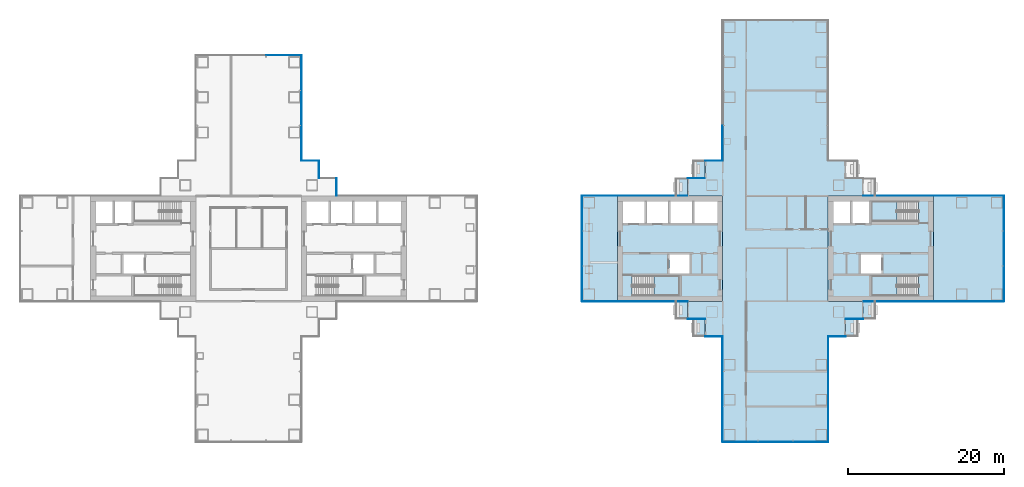
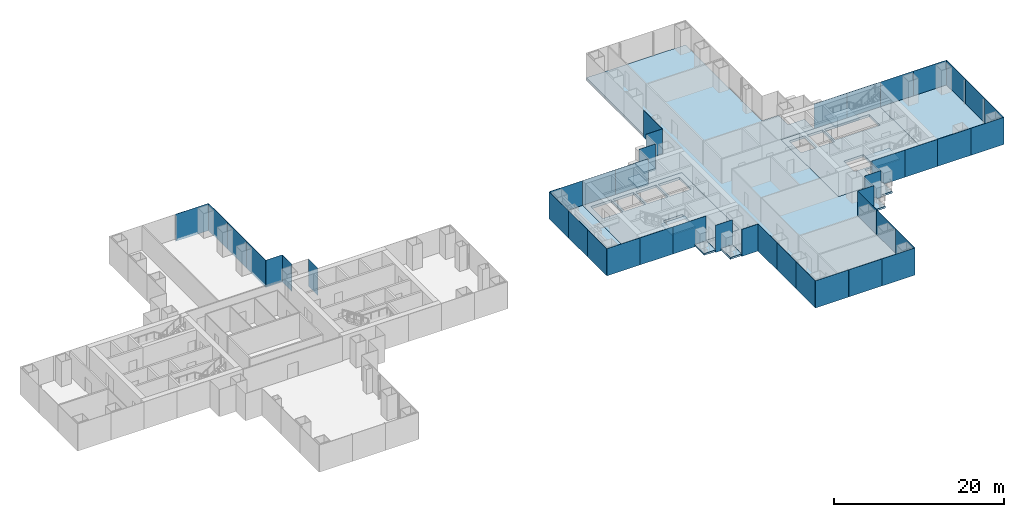
# One storey, part 12 of 22: 43 plates, 14 slabs, 23 elements without a shape of their own.
"""IFC4 building model written with IfcOpenShell, lengths in metres."""

from ifc_helpers import new_model, si_unit, direction, frame, origin, origin_2d, place, context, subcontext, project, spatial, polyline, rectangle, outline, extrude, material, layer, layer_set, type_object, element, aggregate, save


model = new_model("IFC4")

# Units and contexts
model_context = context("Model", 3, precision=1e-05, world=origin(), true_north=direction((0.0, 1.0)))
body_context = subcontext(model_context, "Body", "Model", "MODEL_VIEW")
ifc_project = project(units=[si_unit("LENGTHUNIT", "METRE"), si_unit("AREAUNIT", "SQUARE_METRE"), si_unit("VOLUMEUNIT", "CUBIC_METRE"), si_unit("PLANEANGLEUNIT", "RADIAN"), si_unit("MASSUNIT", "GRAM", prefix="KILO")], contexts=[model_context])

# Site, building, storey
site_placement = place(None, origin())
site = spatial("IfcSite", under=ifc_project, at=site_placement, CompositionType="ELEMENT")
building_placement = place(site_placement, origin())
building = spatial("IfcBuilding", under=site, at=building_placement, Name="Shamsa Quay Exchange Towers", CompositionType="ELEMENT")
storey_placement = place(building_placement, frame((0.0, 0.0, 69.300048828125)))
storey = spatial("IfcBuildingStorey", under=building, at=storey_placement, Name="L15", CompositionType="ELEMENT", Elevation=69.300048828125)

# Slabs
ifc_material_1 = material(Name="Precast concrete C40/50", Category="concrete")
ifc_layer_1 = layer(ifc_material_1, 0.25)
ifc_layer_set_1 = layer_set([ifc_layer_1], Name="BALCONY SLAB 250")
slab_type_1 = type_object("IfcSlabType", Name="BALCONY SLAB 250", PredefinedType="FLOOR", material=ifc_layer_set_1)
slab_1_placement = place(storey_placement, frame((0.0, 0.0, -0.25)))
element("IfcSlab", 1, at=slab_1_placement, inside=storey, type_object=slab_type_1, Name="Balcony T2-PKEN L15", PredefinedType="FLOOR", context=body_context, shape_type="SweptSolid", body=[
    extrude(outline(polyline([(24.75, 11.25), (24.75, 9.0380859375), (23.199951171875, 9.0380859375), (23.199951171875, 11.25), (24.75, 11.25)])), origin(), (0.0, 0.0, 1.0), 0.25),
])
slab_2_placement = place(storey_placement, frame((0.0, 0.0, -0.25)))
element("IfcSlab", 2, at=slab_2_placement, inside=storey, type_object=slab_type_1, Name="Balcony T2-PKEN L15", PredefinedType="FLOOR", context=body_context, shape_type="SweptSolid", body=[
    extrude(outline(polyline([(22.5, 9.0), (22.5, 6.7880859375), (20.949951171875, 6.7880859375), (20.949951171875, 9.0), (22.5, 9.0)])), origin(), (0.0, 0.0, 1.0), 0.25),
])
slab_3_placement = place(storey_placement, frame((0.0, 0.0, -0.25)))
element("IfcSlab", 3, at=slab_3_placement, inside=storey, type_object=slab_type_1, Name="Balcony T2-PKWN L15", PredefinedType="FLOOR", context=body_context, shape_type="SweptSolid", body=[
    extrude(outline(polyline([(22.5, -6.7880859375), (22.5, -9.0), (20.949951171875, -9.0), (20.949951171875, -6.7880859375), (22.5, -6.7880859375)])), origin(), (0.0, 0.0, 1.0), 0.25),
])
slab_4_placement = place(storey_placement, frame((0.0, 0.0, -0.25)))
element("IfcSlab", 4, at=slab_4_placement, inside=storey, type_object=slab_type_1, Name="Balcony T2-PKWN L15", PredefinedType="FLOOR", context=body_context, shape_type="SweptSolid", body=[
    extrude(outline(polyline([(24.75, -9.0380859375), (24.75, -11.25), (23.199951171875, -11.25), (23.199951171875, -9.0380859375), (24.75, -9.0380859375)])), origin(), (0.0, 0.0, 1.0), 0.25),
])
slab_5_placement = place(storey_placement, frame((0.0, 0.0, -0.25)))
element("IfcSlab", 5, at=slab_5_placement, inside=storey, type_object=slab_type_1, Name="Balcony T2-PKWS L15", PredefinedType="FLOOR", context=body_context, shape_type="SweptSolid", body=[
    extrude(outline(polyline([(42.75, -11.25), (42.75, -9.0380859375), (44.300048828125, -9.0380859375), (44.300048828125, -11.25), (42.75, -11.25)])), origin(), (0.0, 0.0, 1.0), 0.25),
])
slab_6_placement = place(storey_placement, frame((0.0, 0.0, -0.25)))
element("IfcSlab", 6, at=slab_6_placement, inside=storey, type_object=slab_type_1, Name="Balcony T2-PKWS L15", PredefinedType="FLOOR", context=body_context, shape_type="SweptSolid", body=[
    extrude(outline(polyline([(45.0, -9.0), (45.0, -6.7880859375), (46.550048828125, -6.7880859375), (46.550048828125, -9.0), (45.0, -9.0)])), origin(), (0.0, 0.0, 1.0), 0.25),
])
ifc_material_2 = material(Name="Concrete C50/60", Category="concrete")
ifc_layer_2 = layer(ifc_material_2, 0.35009765625)
ifc_layer_set_2 = layer_set([ifc_layer_2], Name="CORE FLOOR 350 C50/60")
slab_type_2 = type_object("IfcSlabType", Name="CORE FLOOR 350 C50/60", PredefinedType="FLOOR", material=ifc_layer_set_2)
slab_7_placement = place(storey_placement, frame((0.0, 0.0, -0.35009765625)))
element("IfcSlab", 7, at=slab_7_placement, inside=storey, type_object=slab_type_2, Name="Core floor T2A", PredefinedType="FLOOR", context=body_context, shape_type="SweptSolid", body=[
    extrude(outline(polyline([(13.5, -6.75), (27.0, -6.75), (27.0, 6.75), (13.5, 6.75), (13.5, -6.75)]), holes=[polyline([(15.400634765625, -6.050048828125), (15.400634765625, -3.5), (21.5, -3.5), (21.5, -6.050048828125), (15.400634765625, -6.050048828125)]), polyline([(14.199951171875, 3.25), (14.199951171875, 6.050048828125), (17.0, 6.050048828125), (17.0, 3.25), (14.199951171875, 3.25)]), polyline([(17.25, 3.25), (17.25, 6.050048828125), (20.050048828125, 6.050048828125), (20.050048828125, 3.25), (17.25, 3.25)]), polyline([(20.300048828125, 3.25), (20.300048828125, 6.050048828125), (23.10009765625, 6.050048828125), (23.10009765625, 3.25), (20.300048828125, 3.25)]), polyline([(23.35009765625, 3.25), (23.35009765625, 6.050048828125), (26.300048828125, 6.050048828125), (26.300048828125, 3.25), (23.35009765625, 3.25)]), polyline([(20.14990234375, -3.25), (20.14990234375, -0.75), (22.800048828125, -0.75), (22.800048828125, -3.25), (20.14990234375, -3.25)])]), origin(), (0.0, 0.0, 1.0), 0.35009765625),
])
slab_8_placement = place(storey_placement, frame((0.0, 0.0, -0.35009765625)))
element("IfcSlab", 8, at=slab_8_placement, inside=storey, type_object=slab_type_2, Name="Core floor T2B", PredefinedType="FLOOR", context=body_context, shape_type="SweptSolid", body=[
    extrude(outline(polyline([(54.0, -6.75), (54.0, 6.75), (40.5, 6.75), (40.5, -6.75), (54.0, -6.75)]), holes=[polyline([(52.099365234375, -3.5), (52.099365234375, -6.050048828125), (46.0, -6.050048828125), (46.0, -3.5), (52.099365234375, -3.5)]), polyline([(52.099365234375, 6.050048828125), (52.099365234375, 3.5), (46.0, 3.5), (46.0, 6.050048828125), (52.099365234375, 6.050048828125)]), polyline([(45.75, 3.25), (43.60009765625, 3.25), (43.60009765625, 6.050048828125), (45.75, 6.050048828125), (45.75, 3.25)]), polyline([(43.35009765625, 3.25), (41.199951171875, 3.25), (41.199951171875, 6.050048828125), (43.35009765625, 6.050048828125), (43.35009765625, 3.25)]), polyline([(47.35009765625, -3.25), (44.699951171875, -3.25), (44.699951171875, -0.75), (47.35009765625, -0.75), (47.35009765625, -3.25)])]), origin(), (0.0, 0.0, 1.0), 0.35009765625),
])

# Stair, slab
ifc_material_3 = material(Name="Concrete C40/50", Category="concrete")
stair_type = type_object("IfcStairType", Name="EXIT STAIR 22 RISERS 177 MM", PredefinedType="HALF_TURN_STAIR", material=ifc_material_3)
stair_1_placement = place(storey_placement, origin())
stair_1 = element("IfcStair", 9, at=stair_1_placement, inside=storey, type_object=stair_type, Name="L15 Exit stair ST4", PredefinedType="HALF_TURN_STAIR")
ifc_layer_3 = layer(ifc_material_3, 0.199951171875)
ifc_layer_set_3 = layer_set([ifc_layer_3], Name="CORE STAIR LANDING")
slab_type_3 = type_object("IfcSlabType", Name="CORE STAIR LANDING", PredefinedType="LANDING", material=ifc_layer_set_3)
slab_9_placement = place(storey_placement, frame((0.0, 0.0, 1.75)))
slab_9 = element("IfcSlab", 10, at=slab_9_placement, type_object=slab_type_3, Name="ST4 landing 1", PredefinedType="LANDING", context=body_context, shape_type="SweptSolid", body=[
    extrude(outline(polyline([(18.199951171875, -6.050048828125), (21.5, -6.050048828125), (21.5, -3.5), (18.199951171875, -3.5), (18.199951171875, -6.050048828125)])), origin(), (0.0, 0.0, 1.0), 0.199951171875),
])
aggregate(stair_1, [slab_9])

stair_2_placement = place(storey_placement, origin())
stair_2 = element("IfcStair", 11, at=stair_2_placement, inside=storey, type_object=stair_type, Name="L15 Exit stair ST5", PredefinedType="HALF_TURN_STAIR")
slab_10_placement = place(storey_placement, frame((0.0, 0.0, 1.75)))
slab_10 = element("IfcSlab", 12, at=slab_10_placement, type_object=slab_type_3, Name="ST5 landing 1", PredefinedType="LANDING", context=body_context, shape_type="SweptSolid", body=[
    extrude(outline(polyline([(49.300048828125, -3.5), (46.0, -3.5), (46.0, -6.050048828125), (49.300048828125, -6.050048828125), (49.300048828125, -3.5)])), origin(), (0.0, 0.0, 1.0), 0.199951171875),
])
aggregate(stair_2, [slab_10])

stair_3_placement = place(storey_placement, origin())
stair_3 = element("IfcStair", 13, at=stair_3_placement, inside=storey, type_object=stair_type, Name="L15 Exit stair ST6", PredefinedType="HALF_TURN_STAIR")
slab_11_placement = place(storey_placement, frame((0.0, 0.0, 1.75)))
slab_11 = element("IfcSlab", 14, at=slab_11_placement, type_object=slab_type_3, Name="ST6 landing 1", PredefinedType="LANDING", context=body_context, shape_type="SweptSolid", body=[
    extrude(outline(polyline([(49.300048828125, 6.050048828125), (46.0, 6.050048828125), (46.0, 3.5), (49.300048828125, 3.5), (49.300048828125, 6.050048828125)])), origin(), (0.0, 0.0, 1.0), 0.199951171875),
])
aggregate(stair_3, [slab_11])

# Curtain wall, plates
ifc_material_4 = material(Name="Aluminium EN AW-6063 T6, black anodised", Category="aluminium")
ifc_layer_4 = layer(ifc_material_4, 0.280029296875)
ifc_layer_set_4 = layer_set([ifc_layer_4], Name="CW-1 UNITISED VISION GLASS")
curtain_wall_type_1 = type_object("IfcCurtainWallType", Name="CW-1 UNITISED VISION GLASS", PredefinedType="NOTDEFINED", material=ifc_layer_set_4)
curtain_wall_1_placement = place(storey_placement, origin())
curtain_wall_1 = element("IfcCurtainWall", 15, at=curtain_wall_1_placement, inside=storey, type_object=curtain_wall_type_1, Name="CW1 T1-FLK-V+E L15", PredefinedType="NOTDEFINED")
ifc_material_5 = material(Name="Glass, laminated, dark tinted", Category="glass")
ifc_layer_5 = layer(ifc_material_5, 0.0400390625)
ifc_layer_set_5 = layer_set([ifc_layer_5], Name="CW-1 VISION GLASS 40")
plate_type_1 = type_object("IfcPlateType", Name="CW-1 VISION GLASS 40", PredefinedType="CURTAIN_PANEL", material=ifc_layer_set_5)
plate_1_placement = place(storey_placement, frame((-26.97998046875, 13.529052734375, -0.35009765625), z_axis=(0.0, 0.0, 1.0), x_axis=(0.0, 1.0, 0.0)))
plate_1 = element("IfcPlate", 16, at=plate_1_placement, type_object=plate_type_1, Name="CW1 glass panel", PredefinedType="CURTAIN_PANEL", context=body_context, shape_type="SweptSolid", body=[
    extrude(rectangle(XDim=4.482421875, YDim=0.0400390625, at=origin_2d()), origin(), (0.0, 0.0, 1.0), 3.89990234375),
])
plate_2_placement = place(storey_placement, frame((-26.97998046875, 18.01904296875, -0.35009765625), z_axis=(0.0, 0.0, 1.0), x_axis=(0.0, 1.0, 0.0)))
plate_2 = element("IfcPlate", 17, at=plate_2_placement, type_object=plate_type_1, Name="CW1 glass panel", PredefinedType="CURTAIN_PANEL", context=body_context, shape_type="SweptSolid", body=[
    extrude(rectangle(XDim=4.477294921875, YDim=0.0400390625, at=origin_2d()), origin(), (0.0, 0.0, 1.0), 3.89990234375),
])
plate_3_placement = place(storey_placement, frame((-26.97998046875, 22.5087890625, -0.35009765625), z_axis=(0.0, 0.0, 1.0), x_axis=(0.0, 1.0, 0.0)))
plate_3 = element("IfcPlate", 18, at=plate_3_placement, type_object=plate_type_1, Name="CW1 glass panel", PredefinedType="CURTAIN_PANEL", context=body_context, shape_type="SweptSolid", body=[
    extrude(rectangle(XDim=4.482421875, YDim=0.0400390625, at=origin_2d()), origin(), (0.0, 0.0, 1.0), 3.89990234375),
])
aggregate(curtain_wall_1, [plate_1, plate_2, plate_3])

# Curtain wall, plate
curtain_wall_2_placement = place(storey_placement, origin())
curtain_wall_2 = element("IfcCurtainWall", 19, at=curtain_wall_2_placement, inside=storey, type_object=curtain_wall_type_1, Name="CW1 T1-END-V+ L15", PredefinedType="NOTDEFINED")
plate_4_placement = place(storey_placement, frame((-29.24755859375, 24.77001953125, -0.35009765625), z_axis=(0.0, 0.0, 1.0), x_axis=(-1.0, 0.0, 0.0)))
plate_4 = element("IfcPlate", 20, at=plate_4_placement, type_object=plate_type_1, Name="CW1 glass panel", PredefinedType="CURTAIN_PANEL", context=body_context, shape_type="SweptSolid", body=[
    extrude(rectangle(XDim=4.4951171875, YDim=0.0400390625, at=origin_2d()), origin(), (0.0, 0.0, 1.0), 3.89990234375),
])
aggregate(curtain_wall_2, [plate_4])

# Curtain wall, plates
curtain_wall_3_placement = place(storey_placement, origin())
curtain_wall_3 = element("IfcCurtainWall", 21, at=curtain_wall_3_placement, inside=storey, type_object=curtain_wall_type_1, Name="CW1 T2-FLK-V-W L15", PredefinedType="NOTDEFINED")
plate_5_placement = place(storey_placement, frame((56.24755859375, -6.77001953125, -0.35009765625)))
plate_5 = element("IfcPlate", 22, at=plate_5_placement, type_object=plate_type_1, Name="CW1 glass panel", PredefinedType="CURTAIN_PANEL", context=body_context, shape_type="SweptSolid", body=[
    extrude(rectangle(XDim=4.4951171875, YDim=0.0400390625, at=origin_2d()), origin(), (0.0, 0.0, 1.0), 3.89990234375),
])
plate_6_placement = place(storey_placement, frame((60.75244140625, -6.77001953125, -0.35009765625)))
plate_6 = element("IfcPlate", 23, at=plate_6_placement, type_object=plate_type_1, Name="CW1 glass panel", PredefinedType="CURTAIN_PANEL", context=body_context, shape_type="SweptSolid", body=[
    extrude(rectangle(XDim=4.4951171875, YDim=0.0400390625, at=origin_2d()), origin(), (0.0, 0.0, 1.0), 3.89990234375),
])
aggregate(curtain_wall_3, [plate_5, plate_6])

curtain_wall_4_placement = place(storey_placement, origin())
curtain_wall_4 = element("IfcCurtainWall", 24, at=curtain_wall_4_placement, inside=storey, type_object=curtain_wall_type_1, Name="CW1 T2-END-V- L15", PredefinedType="NOTDEFINED")
plate_7_placement = place(storey_placement, frame((63.02001953125, -4.50244140625, -0.35009765625), z_axis=(0.0, 0.0, 1.0), x_axis=(0.0, 1.0, 0.0)))
plate_7 = element("IfcPlate", 25, at=plate_7_placement, type_object=plate_type_1, Name="CW1 glass panel", PredefinedType="CURTAIN_PANEL", context=body_context, shape_type="SweptSolid", body=[
    extrude(rectangle(XDim=4.4951171875, YDim=0.0400390625, at=origin_2d()), origin(), (0.0, 0.0, 1.0), 3.89990234375),
])
plate_8_placement = place(storey_placement, frame((63.02001953125, 0.0, -0.35009765625), z_axis=(0.0, 0.0, 1.0), x_axis=(0.0, 1.0, 0.0)))
plate_8 = element("IfcPlate", 26, at=plate_8_placement, type_object=plate_type_1, Name="CW1 glass panel", PredefinedType="CURTAIN_PANEL", context=body_context, shape_type="SweptSolid", body=[
    extrude(rectangle(XDim=4.489990234375, YDim=0.0400390625, at=origin_2d()), origin(), (0.0, 0.0, 1.0), 3.89990234375),
])
plate_9_placement = place(storey_placement, frame((63.02001953125, 4.50244140625, -0.35009765625), z_axis=(0.0, 0.0, 1.0), x_axis=(0.0, 1.0, 0.0)))
plate_9 = element("IfcPlate", 27, at=plate_9_placement, type_object=plate_type_1, Name="CW1 glass panel", PredefinedType="CURTAIN_PANEL", context=body_context, shape_type="SweptSolid", body=[
    extrude(rectangle(XDim=4.4951171875, YDim=0.0400390625, at=origin_2d()), origin(), (0.0, 0.0, 1.0), 3.89990234375),
])
aggregate(curtain_wall_4, [plate_7, plate_8, plate_9])

curtain_wall_5_placement = place(storey_placement, origin())
curtain_wall_5 = element("IfcCurtainWall", 28, at=curtain_wall_5_placement, inside=storey, type_object=curtain_wall_type_1, Name="CW1 T2-FLK-V-E L15", PredefinedType="NOTDEFINED")
plate_10_placement = place(storey_placement, frame((60.75244140625, 6.77001953125, -0.35009765625), z_axis=(0.0, 0.0, 1.0), x_axis=(-1.0, 0.0, 0.0)))
plate_10 = element("IfcPlate", 29, at=plate_10_placement, type_object=plate_type_1, Name="CW1 glass panel", PredefinedType="CURTAIN_PANEL", context=body_context, shape_type="SweptSolid", body=[
    extrude(rectangle(XDim=4.4951171875, YDim=0.0400390625, at=origin_2d()), origin(), (0.0, 0.0, 1.0), 3.89990234375),
])
plate_11_placement = place(storey_placement, frame((56.24755859375, 6.77001953125, -0.35009765625), z_axis=(0.0, 0.0, 1.0), x_axis=(-1.0, 0.0, 0.0)))
plate_11 = element("IfcPlate", 30, at=plate_11_placement, type_object=plate_type_1, Name="CW1 glass panel", PredefinedType="CURTAIN_PANEL", context=body_context, shape_type="SweptSolid", body=[
    extrude(rectangle(XDim=4.4951171875, YDim=0.0400390625, at=origin_2d()), origin(), (0.0, 0.0, 1.0), 3.89990234375),
])
aggregate(curtain_wall_5, [plate_10, plate_11])

# Curtain wall, plate
curtain_wall_6_placement = place(storey_placement, origin())
curtain_wall_6 = element("IfcCurtainWall", 31, at=curtain_wall_6_placement, inside=storey, type_object=curtain_wall_type_1, Name="CW1 T2-FLK-U+N L15", PredefinedType="NOTDEFINED")
plate_12_placement = place(storey_placement, frame((26.97998046875, 13.49755859375, -0.35009765625), z_axis=(0.0, 0.0, 1.0), x_axis=(0.0, -1.0, 0.0)))
plate_12 = element("IfcPlate", 32, at=plate_12_placement, type_object=plate_type_1, Name="CW1 glass panel", PredefinedType="CURTAIN_PANEL", context=body_context, shape_type="SweptSolid", body=[
    extrude(rectangle(XDim=4.4951171875, YDim=0.0400390625, at=origin_2d()), origin(), (0.0, 0.0, 1.0), 3.89990234375),
])
aggregate(curtain_wall_6, [plate_12])

curtain_wall_7_placement = place(storey_placement, origin())
curtain_wall_7 = element("IfcCurtainWall", 33, at=curtain_wall_7_placement, inside=storey, type_object=curtain_wall_type_1, Name="CW1 T2-FLK-V+E L15", PredefinedType="NOTDEFINED")
plate_13_placement = place(storey_placement, frame((11.25, 6.77001953125, -0.35009765625), z_axis=(0.0, 0.0, 1.0), x_axis=(-1.0, 0.0, 0.0)))
plate_13 = element("IfcPlate", 34, at=plate_13_placement, type_object=plate_type_1, Name="CW1 glass panel", PredefinedType="CURTAIN_PANEL", context=body_context, shape_type="SweptSolid", body=[
    extrude(rectangle(XDim=4.5, YDim=0.0400390625, at=origin_2d()), origin(), (0.0, 0.0, 1.0), 3.89990234375),
])
aggregate(curtain_wall_7, [plate_13])

# Curtain wall, plates
curtain_wall_8_placement = place(storey_placement, origin())
curtain_wall_8 = element("IfcCurtainWall", 35, at=curtain_wall_8_placement, inside=storey, type_object=curtain_wall_type_1, Name="CW1 T2-END-V+ L15", PredefinedType="NOTDEFINED")
plate_14_placement = place(storey_placement, frame((8.97998046875, 4.50244140625, -0.35009765625), z_axis=(0.0, 0.0, 1.0), x_axis=(0.0, -1.0, 0.0)))
plate_14 = element("IfcPlate", 36, at=plate_14_placement, type_object=plate_type_1, Name="CW1 glass panel", PredefinedType="CURTAIN_PANEL", context=body_context, shape_type="SweptSolid", body=[
    extrude(rectangle(XDim=4.4951171875, YDim=0.0400390625, at=origin_2d()), origin(), (0.0, 0.0, 1.0), 3.89990234375),
])
plate_15_placement = place(storey_placement, frame((8.97998046875, 0.0, -0.35009765625), z_axis=(0.0, 0.0, 1.0), x_axis=(0.0, -1.0, 0.0)))
plate_15 = element("IfcPlate", 37, at=plate_15_placement, type_object=plate_type_1, Name="CW1 glass panel", PredefinedType="CURTAIN_PANEL", context=body_context, shape_type="SweptSolid", body=[
    extrude(rectangle(XDim=4.489990234375, YDim=0.0400390625, at=origin_2d()), origin(), (0.0, 0.0, 1.0), 3.89990234375),
])
plate_16_placement = place(storey_placement, frame((8.97998046875, -4.50244140625, -0.35009765625), z_axis=(0.0, 0.0, 1.0), x_axis=(0.0, -1.0, 0.0)))
plate_16 = element("IfcPlate", 38, at=plate_16_placement, type_object=plate_type_1, Name="CW1 glass panel", PredefinedType="CURTAIN_PANEL", context=body_context, shape_type="SweptSolid", body=[
    extrude(rectangle(XDim=4.4951171875, YDim=0.0400390625, at=origin_2d()), origin(), (0.0, 0.0, 1.0), 3.89990234375),
])
aggregate(curtain_wall_8, [plate_14, plate_15, plate_16])

# Curtain wall, plate
curtain_wall_9_placement = place(storey_placement, origin())
curtain_wall_9 = element("IfcCurtainWall", 39, at=curtain_wall_9_placement, inside=storey, type_object=curtain_wall_type_1, Name="CW1 T2-FLK-V+W L15", PredefinedType="NOTDEFINED")
plate_17_placement = place(storey_placement, frame((11.25, -6.77001953125, -0.35009765625)))
plate_17 = element("IfcPlate", 40, at=plate_17_placement, type_object=plate_type_1, Name="CW1 glass panel", PredefinedType="CURTAIN_PANEL", context=body_context, shape_type="SweptSolid", body=[
    extrude(rectangle(XDim=4.5, YDim=0.0400390625, at=origin_2d()), origin(), (0.0, 0.0, 1.0), 3.89990234375),
])
aggregate(curtain_wall_9, [plate_17])

# Curtain wall, plates
curtain_wall_10_placement = place(storey_placement, origin())
curtain_wall_10 = element("IfcCurtainWall", 41, at=curtain_wall_10_placement, inside=storey, type_object=curtain_wall_type_1, Name="CW1 T2-FLK-U-N L15", PredefinedType="NOTDEFINED")
plate_18_placement = place(storey_placement, frame((26.97998046875, -13.529052734375, -0.35009765625), z_axis=(0.0, 0.0, 1.0), x_axis=(0.0, -1.0, 0.0)))
plate_18 = element("IfcPlate", 42, at=plate_18_placement, type_object=plate_type_1, Name="CW1 glass panel", PredefinedType="CURTAIN_PANEL", context=body_context, shape_type="SweptSolid", body=[
    extrude(rectangle(XDim=4.482421875, YDim=0.0400390625, at=origin_2d()), origin(), (0.0, 0.0, 1.0), 3.89990234375),
])
plate_19_placement = place(storey_placement, frame((26.97998046875, -18.01904296875, -0.35009765625), z_axis=(0.0, 0.0, 1.0), x_axis=(0.0, -1.0, 0.0)))
plate_19 = element("IfcPlate", 43, at=plate_19_placement, type_object=plate_type_1, Name="CW1 glass panel", PredefinedType="CURTAIN_PANEL", context=body_context, shape_type="SweptSolid", body=[
    extrude(rectangle(XDim=4.477294921875, YDim=0.0400390625, at=origin_2d()), origin(), (0.0, 0.0, 1.0), 3.89990234375),
])
plate_20_placement = place(storey_placement, frame((26.97998046875, -22.5087890625, -0.35009765625), z_axis=(0.0, 0.0, 1.0), x_axis=(0.0, -1.0, 0.0)))
plate_20 = element("IfcPlate", 44, at=plate_20_placement, type_object=plate_type_1, Name="CW1 glass panel", PredefinedType="CURTAIN_PANEL", context=body_context, shape_type="SweptSolid", body=[
    extrude(rectangle(XDim=4.482421875, YDim=0.0400390625, at=origin_2d()), origin(), (0.0, 0.0, 1.0), 3.89990234375),
])
aggregate(curtain_wall_10, [plate_18, plate_19, plate_20])

curtain_wall_11_placement = place(storey_placement, origin())
curtain_wall_11 = element("IfcCurtainWall", 45, at=curtain_wall_11_placement, inside=storey, type_object=curtain_wall_type_1, Name="CW1 T2-END-U- L15", PredefinedType="NOTDEFINED")
plate_21_placement = place(storey_placement, frame((29.24755859375, -24.77001953125, -0.35009765625)))
plate_21 = element("IfcPlate", 46, at=plate_21_placement, type_object=plate_type_1, Name="CW1 glass panel", PredefinedType="CURTAIN_PANEL", context=body_context, shape_type="SweptSolid", body=[
    extrude(rectangle(XDim=4.4951171875, YDim=0.0400390625, at=origin_2d()), origin(), (0.0, 0.0, 1.0), 3.89990234375),
])
plate_22_placement = place(storey_placement, frame((33.75, -24.77001953125, -0.35009765625)))
plate_22 = element("IfcPlate", 47, at=plate_22_placement, type_object=plate_type_1, Name="CW1 glass panel", PredefinedType="CURTAIN_PANEL", context=body_context, shape_type="SweptSolid", body=[
    extrude(rectangle(XDim=4.489990234375, YDim=0.0400390625, at=origin_2d()), origin(), (0.0, 0.0, 1.0), 3.89990234375),
])
plate_23_placement = place(storey_placement, frame((38.25244140625, -24.77001953125, -0.35009765625)))
plate_23 = element("IfcPlate", 48, at=plate_23_placement, type_object=plate_type_1, Name="CW1 glass panel", PredefinedType="CURTAIN_PANEL", context=body_context, shape_type="SweptSolid", body=[
    extrude(rectangle(XDim=4.4951171875, YDim=0.0400390625, at=origin_2d()), origin(), (0.0, 0.0, 1.0), 3.89990234375),
])
aggregate(curtain_wall_11, [plate_21, plate_22, plate_23])

curtain_wall_12_placement = place(storey_placement, origin())
curtain_wall_12 = element("IfcCurtainWall", 49, at=curtain_wall_12_placement, inside=storey, type_object=curtain_wall_type_1, Name="CW1 T2-FLK-U-S L15", PredefinedType="NOTDEFINED")
plate_24_placement = place(storey_placement, frame((40.52001953125, -22.50244140625, -0.35009765625), z_axis=(0.0, 0.0, 1.0), x_axis=(0.0, 1.0, 0.0)))
plate_24 = element("IfcPlate", 50, at=plate_24_placement, type_object=plate_type_1, Name="CW1 glass panel", PredefinedType="CURTAIN_PANEL", context=body_context, shape_type="SweptSolid", body=[
    extrude(rectangle(XDim=4.4951171875, YDim=0.0400390625, at=origin_2d()), origin(), (0.0, 0.0, 1.0), 3.89990234375),
])
plate_25_placement = place(storey_placement, frame((40.52001953125, -18.0, -0.35009765625), z_axis=(0.0, 0.0, 1.0), x_axis=(0.0, 1.0, 0.0)))
plate_25 = element("IfcPlate", 51, at=plate_25_placement, type_object=plate_type_1, Name="CW1 glass panel", PredefinedType="CURTAIN_PANEL", context=body_context, shape_type="SweptSolid", body=[
    extrude(rectangle(XDim=4.489990234375, YDim=0.0400390625, at=origin_2d()), origin(), (0.0, 0.0, 1.0), 3.89990234375),
])
plate_26_placement = place(storey_placement, frame((40.52001953125, -13.49755859375, -0.35009765625), z_axis=(0.0, 0.0, 1.0), x_axis=(0.0, 1.0, 0.0)))
plate_26 = element("IfcPlate", 52, at=plate_26_placement, type_object=plate_type_1, Name="CW1 glass panel", PredefinedType="CURTAIN_PANEL", context=body_context, shape_type="SweptSolid", body=[
    extrude(rectangle(XDim=4.4951171875, YDim=0.0400390625, at=origin_2d()), origin(), (0.0, 0.0, 1.0), 3.89990234375),
])
aggregate(curtain_wall_12, [plate_24, plate_25, plate_26])

ifc_layer_6 = layer(ifc_material_4, 0.303955078125)
ifc_layer_set_6 = layer_set([ifc_layer_6], Name="CW-2 UNITISED OPAQUE SPANDREL GLASS")
curtain_wall_type_2 = type_object("IfcCurtainWallType", Name="CW-2 UNITISED OPAQUE SPANDREL GLASS", PredefinedType="NOTDEFINED", material=ifc_layer_set_6)
curtain_wall_13_placement = place(storey_placement, origin())
curtain_wall_13 = element("IfcCurtainWall", 53, at=curtain_wall_13_placement, inside=storey, type_object=curtain_wall_type_2, Name="CW2 T2-FLK-V-W L15", PredefinedType="NOTDEFINED")
ifc_material_6 = material(Name="Glass, laminated, black enamelled opaque", Category="glass")
ifc_layer_7 = layer(ifc_material_6, 0.0439453125)
ifc_layer_set_7 = layer_set([ifc_layer_7], Name="CW-2 SPANDREL GLASS 44")
plate_type_2 = type_object("IfcPlateType", Name="CW-2 SPANDREL GLASS 44", PredefinedType="CURTAIN_PANEL", material=ifc_layer_set_7)
plate_27_placement = place(storey_placement, frame((47.27587890625, -6.77197265625, -0.35009765625)))
plate_27 = element("IfcPlate", 54, at=plate_27_placement, type_object=plate_type_2, Name="CW2 glass panel", PredefinedType="CURTAIN_PANEL", context=body_context, shape_type="SweptSolid", body=[
    extrude(rectangle(XDim=4.47607421875, YDim=0.0439453125, at=origin_2d()), origin(), (0.0, 0.0, 1.0), 3.89990234375),
])
plate_28_placement = place(storey_placement, frame((51.761962890625, -6.77197265625, -0.35009765625)))
plate_28 = element("IfcPlate", 55, at=plate_28_placement, type_object=plate_type_2, Name="CW2 glass panel", PredefinedType="CURTAIN_PANEL", context=body_context, shape_type="SweptSolid", body=[
    extrude(rectangle(XDim=4.47607421875, YDim=0.0439453125, at=origin_2d()), origin(), (0.0, 0.0, 1.0), 3.89990234375),
])
aggregate(curtain_wall_13, [plate_27, plate_28])

curtain_wall_14_placement = place(storey_placement, origin())
curtain_wall_14 = element("IfcCurtainWall", 56, at=curtain_wall_14_placement, inside=storey, type_object=curtain_wall_type_2, Name="CW2 T2-FLK-V-E L15", PredefinedType="NOTDEFINED")
plate_29_placement = place(storey_placement, frame((51.75244140625, 6.77197265625, -0.35009765625), z_axis=(0.0, 0.0, 1.0), x_axis=(-1.0, 0.0, 0.0)))
plate_29 = element("IfcPlate", 57, at=plate_29_placement, type_object=plate_type_2, Name="CW2 glass panel", PredefinedType="CURTAIN_PANEL", context=body_context, shape_type="SweptSolid", body=[
    extrude(rectangle(XDim=4.4951171875, YDim=0.0439453125, at=origin_2d()), origin(), (0.0, 0.0, 1.0), 3.89990234375),
])
plate_30_placement = place(storey_placement, frame((47.24755859375, 6.77197265625, -0.35009765625), z_axis=(0.0, 0.0, 1.0), x_axis=(-1.0, 0.0, 0.0)))
plate_30 = element("IfcPlate", 58, at=plate_30_placement, type_object=plate_type_2, Name="CW2 glass panel", PredefinedType="CURTAIN_PANEL", context=body_context, shape_type="SweptSolid", body=[
    extrude(rectangle(XDim=4.4951171875, YDim=0.0439453125, at=origin_2d()), origin(), (0.0, 0.0, 1.0), 3.89990234375),
])
aggregate(curtain_wall_14, [plate_29, plate_30])

curtain_wall_15_placement = place(storey_placement, origin())
curtain_wall_15 = element("IfcCurtainWall", 59, at=curtain_wall_15_placement, inside=storey, type_object=curtain_wall_type_2, Name="CW2 T2-FLK-V+E L15", PredefinedType="NOTDEFINED")
plate_31_placement = place(storey_placement, frame((20.22412109375, 6.77197265625, -0.35009765625), z_axis=(0.0, 0.0, 1.0), x_axis=(-1.0, 0.0, 0.0)))
plate_31 = element("IfcPlate", 60, at=plate_31_placement, type_object=plate_type_2, Name="CW2 glass panel", PredefinedType="CURTAIN_PANEL", context=body_context, shape_type="SweptSolid", body=[
    extrude(rectangle(XDim=4.47607421875, YDim=0.0439453125, at=origin_2d()), origin(), (0.0, 0.0, 1.0), 3.89990234375),
])
plate_32_placement = place(storey_placement, frame((15.738037109375, 6.77197265625, -0.35009765625), z_axis=(0.0, 0.0, 1.0), x_axis=(-1.0, 0.0, 0.0)))
plate_32 = element("IfcPlate", 61, at=plate_32_placement, type_object=plate_type_2, Name="CW2 glass panel", PredefinedType="CURTAIN_PANEL", context=body_context, shape_type="SweptSolid", body=[
    extrude(rectangle(XDim=4.47607421875, YDim=0.0439453125, at=origin_2d()), origin(), (0.0, 0.0, 1.0), 3.89990234375),
])
aggregate(curtain_wall_15, [plate_31, plate_32])

curtain_wall_16_placement = place(storey_placement, origin())
curtain_wall_16 = element("IfcCurtainWall", 62, at=curtain_wall_16_placement, inside=storey, type_object=curtain_wall_type_2, Name="CW2 T2-FLK-V+W L15", PredefinedType="NOTDEFINED")
plate_33_placement = place(storey_placement, frame((15.74755859375, -6.77197265625, -0.35009765625)))
plate_33 = element("IfcPlate", 63, at=plate_33_placement, type_object=plate_type_2, Name="CW2 glass panel", PredefinedType="CURTAIN_PANEL", context=body_context, shape_type="SweptSolid", body=[
    extrude(rectangle(XDim=4.4951171875, YDim=0.0439453125, at=origin_2d()), origin(), (0.0, 0.0, 1.0), 3.89990234375),
])
plate_34_placement = place(storey_placement, frame((20.25244140625, -6.77197265625, -0.35009765625)))
plate_34 = element("IfcPlate", 64, at=plate_34_placement, type_object=plate_type_2, Name="CW2 glass panel", PredefinedType="CURTAIN_PANEL", context=body_context, shape_type="SweptSolid", body=[
    extrude(rectangle(XDim=4.4951171875, YDim=0.0439453125, at=origin_2d()), origin(), (0.0, 0.0, 1.0), 3.89990234375),
])
aggregate(curtain_wall_16, [plate_33, plate_34])

ifc_layer_8 = layer(ifc_material_4, 0.256103515625)
ifc_layer_set_8 = layer_set([ifc_layer_8], Name="CW-4 POCKET SERRATED GLAZING")
curtain_wall_type_3 = type_object("IfcCurtainWallType", Name="CW-4 POCKET SERRATED GLAZING", PredefinedType="NOTDEFINED", material=ifc_layer_set_8)
curtain_wall_17_placement = place(storey_placement, origin())
curtain_wall_17 = element("IfcCurtainWall", 65, at=curtain_wall_17_placement, inside=storey, type_object=curtain_wall_type_3, Name="CW4 PKEN L15", PredefinedType="NOTDEFINED")
ifc_layer_9 = layer(ifc_material_5, 0.035888671875)
ifc_layer_set_9 = layer_set([ifc_layer_9], Name="CW-4 POCKET GLASS 36")
plate_type_3 = type_object("IfcPlateType", Name="CW-4 POCKET GLASS 36", PredefinedType="CURTAIN_PANEL", material=ifc_layer_set_9)
plate_35_placement = place(storey_placement, frame((-22.48193359375, 7.89794921875, -0.35009765625), z_axis=(0.0, 0.0, 1.0), x_axis=(0.0, 1.0, 0.0)))
plate_35 = element("IfcPlate", 66, at=plate_35_placement, type_object=plate_type_3, Name="CW4 glass panel", PredefinedType="CURTAIN_PANEL", context=body_context, shape_type="SweptSolid", body=[
    extrude(rectangle(XDim=2.2041015625, YDim=0.035888671875, at=origin_2d()), origin(), (0.0, 0.0, 1.0), 3.89990234375),
])
plate_36_placement = place(storey_placement, frame((-24.73193359375, 10.14404296875, -0.35009765625), z_axis=(0.0, 0.0, 1.0), x_axis=(0.0, 1.0, 0.0)))
plate_36 = element("IfcPlate", 67, at=plate_36_placement, type_object=plate_type_3, Name="CW4 glass panel", PredefinedType="CURTAIN_PANEL", context=body_context, shape_type="SweptSolid", body=[
    extrude(rectangle(XDim=2.2119140625, YDim=0.035888671875, at=origin_2d()), origin(), (0.0, 0.0, 1.0), 3.89990234375),
])
plate_37_placement = place(storey_placement, frame((-25.875, 11.26806640625, -0.35009765625), z_axis=(0.0, 0.0, 1.0), x_axis=(-1.0, 0.0, 0.0)))
plate_37 = element("IfcPlate", 68, at=plate_37_placement, type_object=plate_type_3, Name="CW4 glass panel", PredefinedType="CURTAIN_PANEL", context=body_context, shape_type="SweptSolid", body=[
    extrude(rectangle(XDim=2.25, YDim=0.035888671875, at=origin_2d()), origin(), (0.0, 0.0, 1.0), 3.89990234375),
])
aggregate(curtain_wall_17, [plate_35, plate_36, plate_37])

curtain_wall_18_placement = place(storey_placement, origin())
curtain_wall_18 = element("IfcCurtainWall", 69, at=curtain_wall_18_placement, inside=storey, type_object=curtain_wall_type_3, Name="CW4 PKWS L15", PredefinedType="NOTDEFINED")
plate_38_placement = place(storey_placement, frame((43.89404296875, -9.01806640625, -0.35009765625)))
plate_38 = element("IfcPlate", 70, at=plate_38_placement, type_object=plate_type_3, Name="CW4 glass panel", PredefinedType="CURTAIN_PANEL", context=body_context, shape_type="SweptSolid", body=[
    extrude(rectangle(XDim=2.2119140625, YDim=0.035888671875, at=origin_2d()), origin(), (0.0, 0.0, 1.0), 3.89990234375),
])
plate_39_placement = place(storey_placement, frame((41.64599609375, -11.26806640625, -0.35009765625)))
plate_39 = element("IfcPlate", 71, at=plate_39_placement, type_object=plate_type_3, Name="CW4 glass panel", PredefinedType="CURTAIN_PANEL", context=body_context, shape_type="SweptSolid", body=[
    extrude(rectangle(XDim=2.2080078125, YDim=0.035888671875, at=origin_2d()), origin(), (0.0, 0.0, 1.0), 3.89990234375),
])
aggregate(curtain_wall_18, [plate_38, plate_39])

curtain_wall_19_placement = place(storey_placement, origin())
curtain_wall_19 = element("IfcCurtainWall", 72, at=curtain_wall_19_placement, inside=storey, type_object=curtain_wall_type_3, Name="CW4 PKEN L15", PredefinedType="NOTDEFINED")
plate_40_placement = place(storey_placement, frame((25.85400390625, 11.26806640625, -0.35009765625), z_axis=(0.0, 0.0, 1.0), x_axis=(-1.0, 0.0, 0.0)))
plate_40 = element("IfcPlate", 73, at=plate_40_placement, type_object=plate_type_3, Name="CW4 glass panel", PredefinedType="CURTAIN_PANEL", context=body_context, shape_type="SweptSolid", body=[
    extrude(rectangle(XDim=2.2080078125, YDim=0.035888671875, at=origin_2d()), origin(), (0.0, 0.0, 1.0), 3.89990234375),
])
plate_41_placement = place(storey_placement, frame((23.60595703125, 9.01806640625, -0.35009765625), z_axis=(0.0, 0.0, 1.0), x_axis=(-1.0, 0.0, 0.0)))
plate_41 = element("IfcPlate", 74, at=plate_41_placement, type_object=plate_type_3, Name="CW4 glass panel", PredefinedType="CURTAIN_PANEL", context=body_context, shape_type="SweptSolid", body=[
    extrude(rectangle(XDim=2.2119140625, YDim=0.035888671875, at=origin_2d()), origin(), (0.0, 0.0, 1.0), 3.89990234375),
])
aggregate(curtain_wall_19, [plate_40, plate_41])

curtain_wall_20_placement = place(storey_placement, origin())
curtain_wall_20 = element("IfcCurtainWall", 75, at=curtain_wall_20_placement, inside=storey, type_object=curtain_wall_type_3, Name="CW4 PKWN L15", PredefinedType="NOTDEFINED")
plate_42_placement = place(storey_placement, frame((23.625, -9.01806640625, -0.35009765625)))
plate_42 = element("IfcPlate", 76, at=plate_42_placement, type_object=plate_type_3, Name="CW4 glass panel", PredefinedType="CURTAIN_PANEL", context=body_context, shape_type="SweptSolid", body=[
    extrude(rectangle(XDim=2.25, YDim=0.035888671875, at=origin_2d()), origin(), (0.0, 0.0, 1.0), 3.89990234375),
])
plate_43_placement = place(storey_placement, frame((25.875, -11.26806640625, -0.35009765625)))
plate_43 = element("IfcPlate", 77, at=plate_43_placement, type_object=plate_type_3, Name="CW4 glass panel", PredefinedType="CURTAIN_PANEL", context=body_context, shape_type="SweptSolid", body=[
    extrude(rectangle(XDim=2.25, YDim=0.035888671875, at=origin_2d()), origin(), (0.0, 0.0, 1.0), 3.89990234375),
])
aggregate(curtain_wall_20, [plate_42, plate_43])

# Slabs
ifc_layer_10 = layer(ifc_material_3, 0.35009765625)
ifc_layer_set_10 = layer_set([ifc_layer_10], Name="Flat slab 350")
slab_type_4 = type_object("IfcSlabType", Name="Flat slab 350", PredefinedType="FLOOR", material=ifc_layer_set_10)
slab_12_placement = place(storey_placement, frame((0.0, 0.0, -0.35009765625)))
element("IfcSlab", 78, at=slab_12_placement, inside=storey, type_object=slab_type_4, Name="Flat slab T2 L15 4", PredefinedType="FLOOR", context=body_context, shape_type="SweptSolid", body=[
    extrude(outline(polyline([(9.0, -6.75), (13.5, -6.75), (13.5, 6.75), (9.0, 6.75), (9.0, -6.75)])), origin(), (0.0, 0.0, 1.0), 0.35009765625),
])
slab_13_placement = place(storey_placement, frame((0.0, 0.0, -0.35009765625)))
element("IfcSlab", 79, at=slab_13_placement, inside=storey, type_object=slab_type_4, Name="Flat slab T2 L15 5", PredefinedType="FLOOR", context=body_context, shape_type="SweptSolid", body=[
    extrude(outline(polyline([(45.0, -9.0), (45.0, -6.75), (40.5, -6.75), (40.5, 6.75), (45.0, 6.75), (45.0, 9.0), (42.75, 9.0), (42.75, 11.25), (40.5, 11.25), (40.5, 29.25), (27.0, 29.25), (27.0, 11.25), (24.75, 11.25), (24.75, 9.0), (22.5, 9.0), (22.5, 6.75), (27.0, 6.75), (27.0, -6.75), (22.5, -6.75), (22.5, -9.0), (24.75, -9.0), (24.75, -11.25), (27.0, -11.25), (27.0, -24.75), (40.5, -24.75), (40.5, -11.25), (42.75, -11.25), (42.75, -9.0), (45.0, -9.0)])), origin(), (0.0, 0.0, 1.0), 0.35009765625),
])
slab_14_placement = place(storey_placement, frame((0.0, 0.0, -0.35009765625)))
element("IfcSlab", 80, at=slab_14_placement, inside=storey, type_object=slab_type_4, Name="Flat slab T2 L15 6", PredefinedType="FLOOR", context=body_context, shape_type="SweptSolid", body=[
    extrude(outline(polyline([(63.0, 6.75), (54.0, 6.75), (54.0, -6.75), (63.0, -6.75), (63.0, 6.75)])), origin(), (0.0, 0.0, 1.0), 0.35009765625),
])

save(model, "model.ifc")
